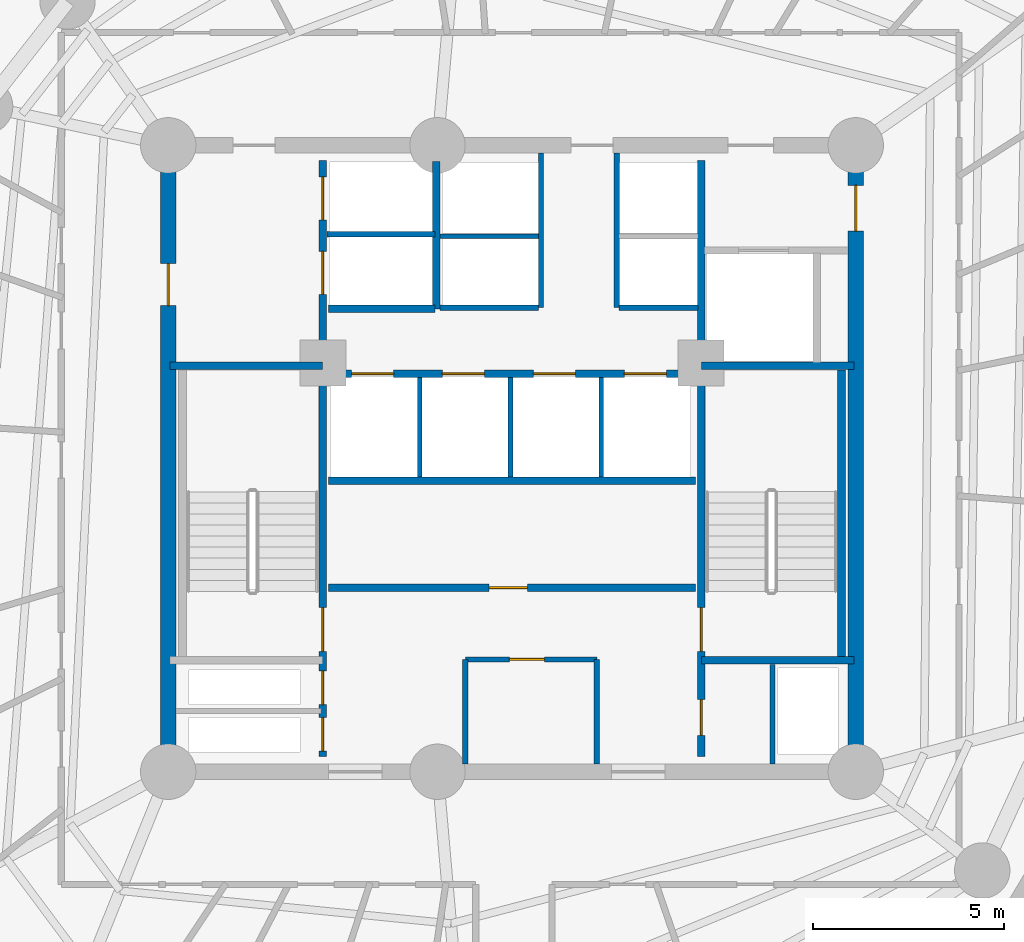
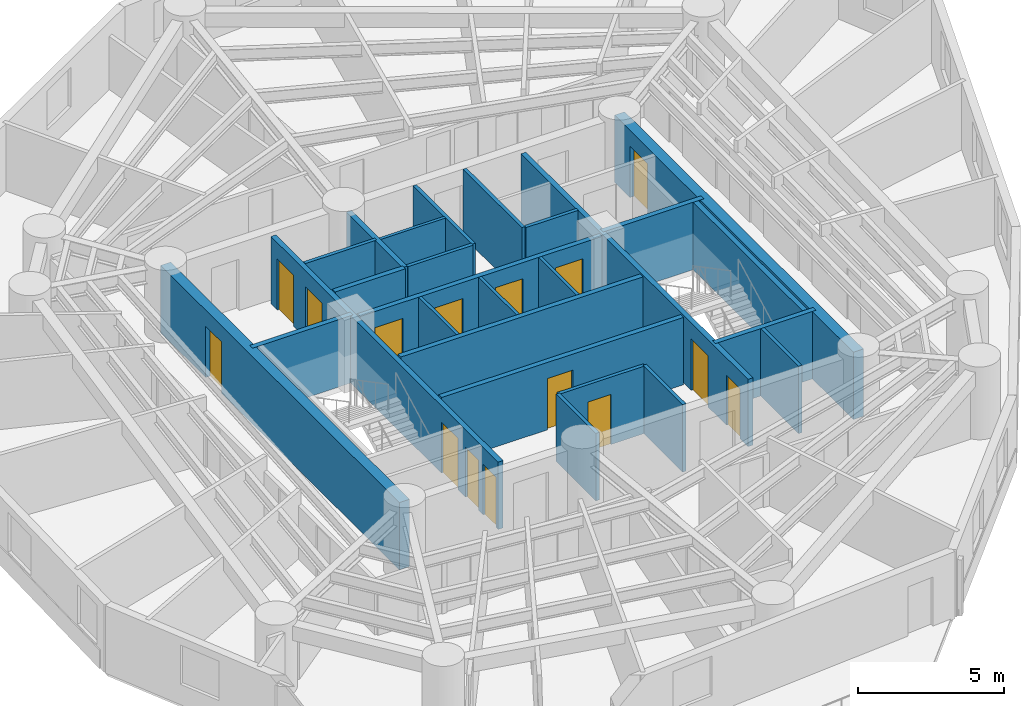
# One storey, part 4 of 10: 26 walls, 15 doors, 15 openings.
"""IFC4 building model written with IfcOpenShell, lengths in metres."""

from ifc_helpers import new_model, si_unit, direction, frame, frame_2d, origin, origin_with_axes, place, context, subcontext, project, spatial, rectangle, extrude, source, transform, mapped, material, layer, layer_set, type_object, element, fill, save


model = new_model("IFC4")

# Units and contexts
model_context = context("Model", 3, precision=1e-05, world=origin(), true_north=direction((0.0, 1.0)))
body_context = subcontext(model_context, "Body", "Model", "MODEL_VIEW")
ifc_project = project(units=[si_unit("LENGTHUNIT", "METRE"), si_unit("AREAUNIT", "SQUARE_METRE"), si_unit("VOLUMEUNIT", "CUBIC_METRE"), si_unit("PLANEANGLEUNIT", "RADIAN"), si_unit("MASSUNIT", "GRAM", prefix="KILO")], contexts=[model_context])

# Site, building, storey
site_placement = place(None, origin())
site = spatial("IfcSite", under=ifc_project, at=site_placement, CompositionType="ELEMENT")
building_placement = place(site_placement, origin())
building = spatial("IfcBuilding", under=site, at=building_placement, Name="Karkom Vertical University and Central Library", CompositionType="ELEMENT")
storey_placement = place(building_placement, frame((0.0, 0.0, 111.449951171875)))
storey = spatial("IfcBuildingStorey", under=building, at=storey_placement, Name="L30", CompositionType="ELEMENT", Elevation=111.449951171875)

# Walls
ifc_material_1 = material(Name="Moisture-resistant drywall 120mm", Category="gypsum")
ifc_layer_1 = layer(ifc_material_1, 0.1201171875)
ifc_layer_set_1 = layer_set([ifc_layer_1], Name="Moisture-resistant drywall 120mm")
wall_type_1 = type_object("IfcWallType", Name="INT-WL-INT-120H", PredefinedType="PARTITIONING", material=ifc_layer_set_1)
for number, where, z_axis, x_axis, name in (
    (1, (26.080078125, 26.02001953125, 0.0), (0.0, 0.0, 1.0), (0.0, 1.0, 0.0), "Level 30 Interior Partition Wall L30-CW-PM-DIV1"),
    (2, (28.4599609375, 26.02001953125, 0.0), (0.0, 0.0, 1.0), (0.0, 1.0, 0.0), "Level 30 Interior Partition Wall L30-CW-PM-DIV2"),
    (3, (30.840087890625, 26.02001953125, 0.0), (0.0, 0.0, 1.0), (0.0, 1.0, 0.0), "Level 30 Interior Partition Wall L30-CW-PM-DIV3"),
):
    element("IfcWall", number, at=place(storey_placement, frame(where, z_axis=z_axis, x_axis=x_axis)), inside=storey, type_object=wall_type_1, Name=name, PredefinedType="PARTITIONING", context=body_context, shape_type="SweptSolid", body=[
        extrude(rectangle(XDim=2.60009765625, YDim=0.1201171875, at=frame_2d((1.300048828125, 0.0))), origin(), (0.0, 0.0, 1.0), 2.824951171875),
    ])
wall_1_placement = place(storey_placement, frame((26.6201171875, 32.320068359375, 0.0), z_axis=(0.0, 0.0, 1.0), x_axis=(1.0, 0.0, 0.0)))
element("IfcWall", 4, at=wall_1_placement, inside=storey, type_object=wall_type_1, Name="Level 30 Interior Partition Wall L30-CW-PH-MW", PredefinedType="PARTITIONING", context=body_context, shape_type="SweptSolid", body=[
    extrude(rectangle(XDim=2.579833984375, YDim=0.1201171875, at=frame_2d((1.2900390625, 0.0))), origin(), (0.0, 0.0, 1.0), 2.824951171875),
])

# Wall, opening, door
ifc_material_2 = material(Name="Metal-stud gypsum partition 140mm", Category="gypsum")
ifc_layer_2 = layer(ifc_material_2, 0.139892578125)
ifc_layer_set_2 = layer_set([ifc_layer_2], Name="Metal-stud gypsum partition 140mm")
wall_type_2 = type_object("IfcWallType", Name="INT-WL-SUB-140", PredefinedType="PARTITIONING", material=ifc_layer_set_2)
wall_2_placement = place(storey_placement, frame((27.280029296875, 21.239990234375, 0.0), z_axis=(0.0, 0.0, 1.0), x_axis=(1.0, 0.0, 0.0)))
wall_2 = element("IfcWall", 5, at=wall_2_placement, inside=storey, type_object=wall_type_2, Name="Level 30 Interior Partition Wall L30-CW-KBAY-N", PredefinedType="PARTITIONING", context=body_context, shape_type="SweptSolid", body=[
    extrude(rectangle(XDim=3.43994140625, YDim=0.139892578125, at=frame_2d((1.719970703125, 0.0))), origin(), (0.0, 0.0, 1.0), 2.824951171875),
])
opening_1_placement = place(wall_2_placement, frame((1.14990234375, 0.0, 0.0)))
opening_1 = element("IfcOpeningElement", 6, at=opening_1_placement, cuts=wall_2, Name="Opening D-SVC1", PredefinedType="OPENING", context=body_context, shape_type="SweptSolid", body=[
    extrude(rectangle(XDim=0.919921875, YDim=2.10009765625, at=frame_2d((0.4599609375, 1.050048828125))), frame((0.0, 0.080078125, 0.0), z_axis=(0.0, -1.0, 0.0), x_axis=(1.0, 0.0, 0.0)), (0.0, 0.0, 1.0), 0.159912109375),
])
ifc_material_3 = material(Name="Painted timber service door", Category="wood")
door_type_1 = type_object("IfcDoorType", Name="INT-DR-SVC1", OperationType="NOTDEFINED", PredefinedType="DOOR", material=ifc_material_3)
shared_shape_1 = source(origin_with_axes(), body_context, "Body", "SweptSolid", [
    extrude(rectangle(XDim=0.919921875, YDim=2.10009765625, at=frame_2d((0.4599609375, 1.050048828125))), frame((0.0, 0.02490234375, 0.0), z_axis=(0.0, -1.0, 0.0), x_axis=(1.0, 0.0, 0.0)), (0.0, 0.0, 1.0), 0.050048828125),
])
door_1_placement = place(opening_1_placement, origin())
door_1 = element("IfcDoor", 7, at=door_1_placement, inside=storey, type_object=door_type_1, Name="Level 30 Comms Room Door", OperationType="SINGLE_SWING_RIGHT", OverallHeight=2.10009765625, OverallWidth=0.919921875, PredefinedType="DOOR", context=body_context, shape_type="MappedRepresentation", body=[
    mapped(shared_shape_1, transform((0.0, 0.0, 0.0), scale=1.0)),
])
fill(opening_1, door_1)

# Walls
for number, where, z_axis, x_axis, name in (
    (8, (27.280029296875, 18.507080078125, 0.0), (0.0, 0.0, 1.0), (0.0, 1.0, 0.0), "Level 30 Interior Partition Wall L30-CW-KBAY-W"),
    (9, (30.719970703125, 18.507080078125, 0.0), (0.0, 0.0, 1.0), (0.0, 1.0, 0.0), "Level 30 Interior Partition Wall L30-CW-KBAY-E"),
):
    element("IfcWall", number, at=place(storey_placement, frame(where, z_axis=z_axis, x_axis=x_axis)), inside=storey, type_object=wall_type_2, Name=name, PredefinedType="PARTITIONING", context=body_context, shape_type="SweptSolid", body=[
        extrude(rectangle(XDim=2.73291015625, YDim=0.139892578125, at=frame_2d((1.366455078125, 0.0))), origin(), (0.0, 0.0, 1.0), 2.824951171875),
    ])
ifc_layer_3 = layer(ifc_material_2, 0.139892578125)
ifc_layer_set_3 = layer_set([ifc_layer_3], Name="Metal-stud gypsum partition 140mm")
wall_type_3 = type_object("IfcWallType", Name="INT-WL-SUB-140H", PredefinedType="PARTITIONING", material=ifc_layer_set_3)
for number, where, z_axis, x_axis, name in (
    (10, (29.260009765625, 30.449951171875, 0.0), (0.0, 0.0, 1.0), (0.0, 1.0, 0.0), "Level 30 Interior Partition Wall L30-CW-PH-W"),
    (11, (31.239990234375, 30.449951171875, 0.0), (0.0, 0.0, 1.0), (0.0, 1.0, 0.0), "Level 30 Interior Partition Wall L30-CW-PH-E"),
):
    element("IfcWall", number, at=place(storey_placement, frame(where, z_axis=z_axis, x_axis=x_axis)), inside=storey, type_object=wall_type_3, Name=name, PredefinedType="PARTITIONING", context=body_context, shape_type="SweptSolid", body=[
        extrude(rectangle(XDim=4.04296875, YDim=0.139892578125, at=frame_2d((2.021484375, 0.0))), origin(), (0.0, 0.0, 1.0), 2.824951171875),
    ])
wall_3_placement = place(storey_placement, frame((26.6201171875, 30.449951171875, 0.0), z_axis=(0.0, 0.0, 1.0), x_axis=(1.0, 0.0, 0.0)))
element("IfcWall", 12, at=wall_3_placement, inside=storey, type_object=wall_type_3, Name="Level 30 Interior Partition Wall L30-CW-PH-S1", PredefinedType="PARTITIONING", context=body_context, shape_type="SweptSolid", body=[
    extrude(rectangle(XDim=2.579833984375, YDim=0.139892578125, at=frame_2d((1.2900390625, 0.0))), origin(), (0.0, 0.0, 1.0), 2.824951171875),
])
wall_4_placement = place(storey_placement, frame((35.320068359375, 18.507080078125, 0.0), z_axis=(0.0, 0.0, 1.0), x_axis=(0.0, 1.0, 0.0)))
element("IfcWall", 13, at=wall_4_placement, inside=storey, type_object=wall_type_3, Name="Level 30 Interior Partition Wall L30-CW-RIS-E", PredefinedType="PARTITIONING", context=body_context, shape_type="SweptSolid", body=[
    extrude(rectangle(XDim=2.603759765625, YDim=0.139892578125, at=frame_2d((1.3017578125, 0.0))), origin(), (0.0, 0.0, 1.0), 2.824951171875),
])
wall_5_placement = place(storey_placement, frame((31.300048828125, 30.449951171875, 0.0), z_axis=(0.0, 0.0, 1.0), x_axis=(1.0, 0.0, 0.0)))
element("IfcWall", 14, at=wall_5_placement, inside=storey, type_object=wall_type_3, Name="Level 30 Interior Partition Wall L30-CW-PH-S2", PredefinedType="PARTITIONING", context=body_context, shape_type="SweptSolid", body=[
    extrude(rectangle(XDim=2.074951171875, YDim=0.139892578125, at=frame_2d((1.03759765625, 0.0))), origin(), (0.0, 0.0, 1.0), 2.824951171875),
])
ifc_layer_4 = layer(ifc_material_2, 0.139892578125)
ifc_layer_set_4 = layer_set([ifc_layer_4], Name="Metal-stud gypsum partition 140mm")
wall_type_4 = type_object("IfcWallType", Name="INT-WL-SUB-140X", PredefinedType="PARTITIONING", material=ifc_layer_set_4)
wall_6_placement = place(storey_placement, frame((23.652099609375, 32.3701171875, 0.0), z_axis=(0.0, 0.0, 1.0), x_axis=(1.0, 0.0, 0.0)))
element("IfcWall", 15, at=wall_6_placement, inside=storey, type_object=wall_type_4, Name="Level 30 Interior Partition Wall L30-CW-FFL-M", PredefinedType="PARTITIONING", context=body_context, shape_type="SweptSolid", body=[
    extrude(rectangle(XDim=2.827880859375, YDim=0.139892578125, at=frame_2d((1.4140625, 0.0))), origin(), (0.0, 0.0, 1.0), 2.824951171875),
])

# Wall, opening, door
ifc_material_4 = material(Name="Concrete C50/60", Category="concrete")
ifc_layer_5 = layer(ifc_material_4, 0.39990234375)
ifc_layer_set_5 = layer_set([ifc_layer_5], Name="Concrete C50/60")
wall_type_5 = type_object("IfcWallType", Name="STR-WL-CW-400", PredefinedType="SHEAR", material=ifc_layer_set_5)
wall_7_placement = place(storey_placement, frame((37.5, 18.300048828125, 0.0), z_axis=(0.0, 0.0, 1.0), x_axis=(0.0, 1.0, 0.0)))
wall_7 = element("IfcWall", 16, at=wall_7_placement, inside=storey, type_object=wall_type_5, Name="Level 30 Central Core Shear Wall EW", PredefinedType="SHEAR", context=body_context, shape_type="SweptSolid", body=[
    extrude(rectangle(XDim=16.39990234375, YDim=0.39990234375, at=frame_2d((8.199951171875, 0.0))), origin(), (0.0, 0.0, 1.0), 2.824951171875),
])
opening_2_placement = place(wall_7_placement, frame((14.14990234375, 0.0, 0.0)))
opening_2 = element("IfcOpeningElement", 17, at=opening_2_placement, cuts=wall_7, Name="Opening FD-SUB1", PredefinedType="OPENING", context=body_context, shape_type="SweptSolid", body=[
    extrude(rectangle(XDim=1.199951171875, YDim=2.14990234375, at=frame_2d((0.60009765625, 1.074951171875))), frame((0.0, 0.2099609375, 0.0), z_axis=(0.0, -1.0, 0.0), x_axis=(1.0, 0.0, 0.0)), (0.0, 0.0, 1.0), 0.419921875),
])
ifc_material_5 = material(Name="Painted steel fire door", Category="steel")
door_type_2 = type_object("IfcDoorType", Name="INT-DR-SUB1", OperationType="NOTDEFINED", PredefinedType="DOOR", material=ifc_material_5)
shared_shape_2 = source(origin_with_axes(), body_context, "Body", "SweptSolid", [
    extrude(rectangle(XDim=1.199951171875, YDim=2.14990234375, at=frame_2d((0.60009765625, 1.074951171875))), frame((0.0, 0.02490234375, 0.0), z_axis=(0.0, -1.0, 0.0), x_axis=(1.0, 0.0, 0.0)), (0.0, 0.0, 1.0), 0.050048828125),
])
door_2_placement = place(opening_2_placement, origin())
door_2 = element("IfcDoor", 18, at=door_2_placement, inside=storey, type_object=door_type_2, Name="Level 30 East Corridor Service Lobby Door", OperationType="SINGLE_SWING_LEFT", OverallHeight=2.14990234375, OverallWidth=1.199951171875, PredefinedType="DOOR", context=body_context, shape_type="MappedRepresentation", body=[
    mapped(shared_shape_2, transform((0.0, 0.0, 0.0), scale=1.0)),
])
fill(opening_2, door_2)

wall_8_placement = place(storey_placement, frame((19.5, 34.699951171875, 0.0), z_axis=(0.0, 0.0, 1.0), x_axis=(0.0, -1.0, 0.0)))
wall_8 = element("IfcWall", 19, at=wall_8_placement, inside=storey, type_object=wall_type_5, Name="Level 30 Central Core Shear Wall WW", PredefinedType="SHEAR", context=body_context, shape_type="SweptSolid", body=[
    extrude(rectangle(XDim=16.39990234375, YDim=0.39990234375, at=frame_2d((8.199951171875, 0.0))), origin(), (0.0, 0.0, 1.0), 2.824951171875),
])
opening_3_placement = place(wall_8_placement, frame((3.10009765625, 0.0, 0.0)))
opening_3 = element("IfcOpeningElement", 20, at=opening_3_placement, cuts=wall_8, Name="Opening FD-FFL", PredefinedType="OPENING", context=body_context, shape_type="SweptSolid", body=[
    extrude(rectangle(XDim=1.10009765625, YDim=2.14990234375, at=frame_2d((0.550048828125, 1.074951171875))), frame((0.0, 0.2099609375, 0.0), z_axis=(0.0, -1.0, 0.0), x_axis=(1.0, 0.0, 0.0)), (0.0, 0.0, 1.0), 0.419921875),
])
ifc_material_6 = material(Name="Painted steel smoke-seal fire door", Category="steel")
door_type_3 = type_object("IfcDoorType", Name="INT-DR-FFL", OperationType="NOTDEFINED", PredefinedType="DOOR", material=ifc_material_6)
shared_shape_3 = source(origin_with_axes(), body_context, "Body", "SweptSolid", [
    extrude(rectangle(XDim=1.10009765625, YDim=2.14990234375, at=frame_2d((0.550048828125, 1.074951171875))), frame((0.0, 0.02490234375, 0.0), z_axis=(0.0, -1.0, 0.0), x_axis=(1.0, 0.0, 0.0)), (0.0, 0.0, 1.0), 0.050048828125),
])
door_3_placement = place(opening_3_placement, origin())
door_3 = element("IfcDoor", 21, at=door_3_placement, inside=storey, type_object=door_type_3, Name="Level 30 West Corridor Firefighting Lobby Door", OperationType="SINGLE_SWING_RIGHT", OverallHeight=2.14990234375, OverallWidth=1.10009765625, PredefinedType="DOOR", context=body_context, shape_type="MappedRepresentation", body=[
    mapped(shared_shape_3, transform((0.0, 0.0, 0.0), scale=1.0)),
])
fill(opening_3, door_3)

# Wall, openings, doors
ifc_material_7 = material(Name="Concrete C45/55", Category="concrete")
ifc_layer_6 = layer(ifc_material_7, 0.199951171875)
ifc_layer_set_6 = layer_set([ifc_layer_6], Name="Concrete C45/55")
wall_type_6 = type_object("IfcWallType", Name="STR-WL-ST-200", PredefinedType="SHEAR", material=ifc_layer_set_6)
wall_9_placement = place(storey_placement, frame((23.544921875, 18.699951171875, 0.0), z_axis=(0.0, 0.0, 1.0), x_axis=(0.0, 1.0, 0.0)))
wall_9 = element("IfcWall", 22, at=wall_9_placement, inside=storey, type_object=wall_type_6, Name="Level 30 Core Shaft Wall L30-CW-ST1-E", PredefinedType="SHEAR", context=body_context, shape_type="SweptSolid", body=[
    extrude(rectangle(XDim=15.60009765625, YDim=0.199951171875, at=frame_2d((7.800048828125, 0.0))), origin(), (0.0, 0.0, 1.0), 2.824951171875),
])
opening_4_placement = place(wall_9_placement, frame((2.75, 0.0, 0.0)))
opening_4 = element("IfcOpeningElement", 23, at=opening_4_placement, cuts=wall_9, Name="Opening FD-ST1", PredefinedType="OPENING", context=body_context, shape_type="SweptSolid", body=[
    extrude(rectangle(XDim=1.14990234375, YDim=2.14990234375, at=frame_2d((0.574951171875, 1.074951171875))), frame((0.0, 0.10986328125, 0.0), z_axis=(0.0, -1.0, 0.0), x_axis=(1.0, 0.0, 0.0)), (0.0, 0.0, 1.0), 0.219970703125),
])
opening_5_placement = place(wall_9_placement, frame((0.139892578125, 0.0, 0.0)))
opening_5 = element("IfcOpeningElement", 24, at=opening_5_placement, cuts=wall_9, Name="Opening FD-RIS", PredefinedType="OPENING", context=body_context, shape_type="SweptSolid", body=[
    extrude(rectangle(XDim=0.8798828125, YDim=2.10009765625, at=frame_2d((0.43994140625, 1.050048828125))), frame((0.0, 0.10986328125, 0.0), z_axis=(0.0, -1.0, 0.0), x_axis=(1.0, 0.0, 0.0)), (0.0, 0.0, 1.0), 0.219970703125),
])
opening_6_placement = place(wall_9_placement, frame((1.360107421875, 0.0, 0.0)))
opening_6 = element("IfcOpeningElement", 25, at=opening_6_placement, cuts=wall_9, Name="Opening FD-RIS", PredefinedType="OPENING", context=body_context, shape_type="SweptSolid", body=[
    extrude(rectangle(XDim=0.8798828125, YDim=2.10009765625, at=frame_2d((0.43994140625, 1.050048828125))), frame((0.0, 0.10986328125, 0.0), z_axis=(0.0, -1.0, 0.0), x_axis=(1.0, 0.0, 0.0)), (0.0, 0.0, 1.0), 0.219970703125),
])
opening_7_placement = place(wall_9_placement, frame((12.10009765625, 0.0, 0.0)))
opening_7 = element("IfcOpeningElement", 26, at=opening_7_placement, cuts=wall_9, Name="Opening LD-FFL", PredefinedType="OPENING", context=body_context, shape_type="SweptSolid", body=[
    extrude(rectangle(XDim=1.1201171875, YDim=2.14990234375, at=frame_2d((0.56005859375, 1.074951171875))), frame((0.0, 0.10986328125, 0.0), z_axis=(0.0, -1.0, 0.0), x_axis=(1.0, 0.0, 0.0)), (0.0, 0.0, 1.0), 0.219970703125),
])
opening_8_placement = place(wall_9_placement, frame((14.050048828125, 0.0, 0.0)))
opening_8 = element("IfcOpeningElement", 27, at=opening_8_placement, cuts=wall_9, Name="Opening LD-FFL", PredefinedType="OPENING", context=body_context, shape_type="SweptSolid", body=[
    extrude(rectangle(XDim=1.1201171875, YDim=2.14990234375, at=frame_2d((0.56005859375, 1.074951171875))), frame((0.0, 0.10986328125, 0.0), z_axis=(0.0, -1.0, 0.0), x_axis=(1.0, 0.0, 0.0)), (0.0, 0.0, 1.0), 0.219970703125),
])
ifc_material_8 = material(Name="Painted steel acoustic fire door", Category="steel")
door_type_4 = type_object("IfcDoorType", Name="INT-DR-ST1", OperationType="NOTDEFINED", PredefinedType="DOOR", material=ifc_material_8)
shared_shape_4 = source(origin_with_axes(), body_context, "Body", "SweptSolid", [
    extrude(rectangle(XDim=1.14990234375, YDim=2.14990234375, at=frame_2d((0.574951171875, 1.074951171875))), frame((0.0, 0.02490234375, 0.0), z_axis=(0.0, -1.0, 0.0), x_axis=(1.0, 0.0, 0.0)), (0.0, 0.0, 1.0), 0.050048828125),
])
door_4_placement = place(opening_4_placement, origin())
door_4 = element("IfcDoor", 28, at=door_4_placement, inside=storey, type_object=door_type_4, Name="Level 30 Stair ST-1 Fire Door", OperationType="SINGLE_SWING_LEFT", OverallHeight=2.14990234375, OverallWidth=1.14990234375, PredefinedType="DOOR", context=body_context, shape_type="MappedRepresentation", body=[
    mapped(shared_shape_4, transform((0.0, 0.0, 0.0), scale=1.0)),
])
fill(opening_4, door_4)
ifc_material_9 = material(Name="Painted steel riser access door", Category="steel")
door_type_5 = type_object("IfcDoorType", Name="INT-DR-RIS", OperationType="NOTDEFINED", PredefinedType="DOOR", material=ifc_material_9)
shared_shape_5 = source(origin_with_axes(), body_context, "Body", "SweptSolid", [
    extrude(rectangle(XDim=0.8798828125, YDim=2.10009765625, at=frame_2d((0.43994140625, 1.050048828125))), frame((0.0, 0.02490234375, 0.0), z_axis=(0.0, -1.0, 0.0), x_axis=(1.0, 0.0, 0.0)), (0.0, 0.0, 1.0), 0.050048828125),
])
door_5_placement = place(opening_5_placement, origin())
door_5 = element("IfcDoor", 29, at=door_5_placement, inside=storey, type_object=door_type_5, Name="Level 30 Electrical Riser Access Door", OperationType="SINGLE_SWING_LEFT", OverallHeight=2.10009765625, OverallWidth=0.8798828125, PredefinedType="DOOR", context=body_context, shape_type="MappedRepresentation", body=[
    mapped(shared_shape_5, transform((0.0, 0.0, 0.0), scale=1.0)),
])
fill(opening_5, door_5)
door_6_placement = place(opening_6_placement, origin())
door_6 = element("IfcDoor", 30, at=door_6_placement, inside=storey, type_object=door_type_5, Name="Level 30 Telecom Riser Access Door", OperationType="SINGLE_SWING_RIGHT", OverallHeight=2.10009765625, OverallWidth=0.8798828125, PredefinedType="DOOR", context=body_context, shape_type="MappedRepresentation", body=[
    mapped(shared_shape_5, transform((0.0, 0.0, 0.0), scale=1.0)),
])
fill(opening_6, door_6)
ifc_material_10 = material(Name="Fire-rated stainless-steel landing door", Category="steel")
door_type_6 = type_object("IfcDoorType", Name="INT-DR-LD-FFL", OperationType="SLIDING_TO_LEFT", PredefinedType="DOOR", material=ifc_material_10)
shared_shape_6 = source(origin_with_axes(), body_context, "Body", "SweptSolid", [
    extrude(rectangle(XDim=1.1201171875, YDim=2.14990234375, at=frame_2d((0.56005859375, 1.074951171875))), frame((0.0, 0.02490234375, 0.0), z_axis=(0.0, -1.0, 0.0), x_axis=(1.0, 0.0, 0.0)), (0.0, 0.0, 1.0), 0.050048828125),
])
door_7_placement = place(opening_7_placement, origin())
door_7 = element("IfcDoor", 31, at=door_7_placement, inside=storey, type_object=door_type_6, Name="Level 30 Firefighting Lift FFL-1 Landing Door", OperationType="SLIDING_TO_LEFT", OverallHeight=2.14990234375, OverallWidth=1.1201171875, PredefinedType="DOOR", context=body_context, shape_type="MappedRepresentation", body=[
    mapped(shared_shape_6, transform((0.0, 0.0, 0.0), scale=1.0)),
])
fill(opening_7, door_7)
door_8_placement = place(opening_8_placement, origin())
door_8 = element("IfcDoor", 32, at=door_8_placement, inside=storey, type_object=door_type_6, Name="Level 30 Firefighting Lift FFL-2 Landing Door", OperationType="SLIDING_TO_RIGHT", OverallHeight=2.14990234375, OverallWidth=1.1201171875, PredefinedType="DOOR", context=body_context, shape_type="MappedRepresentation", body=[
    mapped(shared_shape_6, transform((0.0, 0.0, 0.0), scale=1.0)),
])
fill(opening_8, door_8)

wall_10_placement = place(storey_placement, frame((33.455078125, 18.699951171875, 0.0), z_axis=(0.0, 0.0, 1.0), x_axis=(0.0, 1.0, 0.0)))
wall_10 = element("IfcWall", 33, at=wall_10_placement, inside=storey, type_object=wall_type_6, Name="Level 30 Core Shaft Wall L30-CW-ST2-W", PredefinedType="SHEAR", context=body_context, shape_type="SweptSolid", body=[
    extrude(rectangle(XDim=15.60009765625, YDim=0.199951171875, at=frame_2d((7.800048828125, 0.0))), origin(), (0.0, 0.0, 1.0), 2.824951171875),
])
opening_9_placement = place(wall_10_placement, frame((2.75, 0.0, 0.0)))
opening_9 = element("IfcOpeningElement", 34, at=opening_9_placement, cuts=wall_10, Name="Opening FD-ST1", PredefinedType="OPENING", context=body_context, shape_type="SweptSolid", body=[
    extrude(rectangle(XDim=1.14990234375, YDim=2.14990234375, at=frame_2d((0.574951171875, 1.074951171875))), frame((0.0, 0.10986328125, 0.0), z_axis=(0.0, -1.0, 0.0), x_axis=(1.0, 0.0, 0.0)), (0.0, 0.0, 1.0), 0.219970703125),
])
opening_10_placement = place(wall_10_placement, frame((0.550048828125, 0.0, 0.0)))
opening_10 = element("IfcOpeningElement", 35, at=opening_10_placement, cuts=wall_10, Name="Opening D-WC1", PredefinedType="OPENING", context=body_context, shape_type="SweptSolid", body=[
    extrude(rectangle(XDim=0.93994140625, YDim=2.10009765625, at=frame_2d((0.469970703125, 1.050048828125))), frame((0.0, 0.10986328125, 0.0), z_axis=(0.0, -1.0, 0.0), x_axis=(1.0, 0.0, 0.0)), (0.0, 0.0, 1.0), 0.219970703125),
])
door_9_placement = place(opening_9_placement, origin())
door_9 = element("IfcDoor", 36, at=door_9_placement, inside=storey, type_object=door_type_4, Name="Level 30 Stair ST-2 Fire Door", OperationType="SINGLE_SWING_RIGHT", OverallHeight=2.14990234375, OverallWidth=1.14990234375, PredefinedType="DOOR", context=body_context, shape_type="MappedRepresentation", body=[
    mapped(shared_shape_4, transform((0.0, 0.0, 0.0), scale=1.0)),
])
fill(opening_9, door_9)
ifc_material_11 = material(Name="Fire-rated laminate moisture-resistant door", Category="wood")
door_type_7 = type_object("IfcDoorType", Name="INT-DR-WC1", OperationType="NOTDEFINED", PredefinedType="DOOR", material=ifc_material_11)
shared_shape_7 = source(origin_with_axes(), body_context, "Body", "SweptSolid", [
    extrude(rectangle(XDim=0.93994140625, YDim=2.10009765625, at=frame_2d((0.469970703125, 1.050048828125))), frame((0.0, 0.02490234375, 0.0), z_axis=(0.0, -1.0, 0.0), x_axis=(1.0, 0.0, 0.0)), (0.0, 0.0, 1.0), 0.050048828125),
])
door_10_placement = place(opening_10_placement, origin())
door_10 = element("IfcDoor", 37, at=door_10_placement, inside=storey, type_object=door_type_7, Name="Level 30 Accessible WC Door", OperationType="SINGLE_SWING_LEFT", OverallHeight=2.10009765625, OverallWidth=0.93994140625, PredefinedType="DOOR", context=body_context, shape_type="MappedRepresentation", body=[
    mapped(shared_shape_7, transform((0.0, 0.0, 0.0), scale=1.0)),
])
fill(opening_10, door_10)

# Wall, opening, door
wall_11_placement = place(storey_placement, frame((23.699951171875, 23.1201171875, 0.0), z_axis=(0.0, 0.0, 1.0), x_axis=(1.0, 0.0, 0.0)))
wall_11 = element("IfcWall", 38, at=wall_11_placement, inside=storey, type_object=wall_type_6, Name="Level 30 Core Shaft Wall L30-CW-B1-S", PredefinedType="SHEAR", context=body_context, shape_type="SweptSolid", body=[
    extrude(rectangle(XDim=9.60009765625, YDim=0.199951171875, at=frame_2d((4.800048828125, 0.0))), origin(), (0.0, 0.0, 1.0), 2.824951171875),
])
opening_11_placement = place(wall_11_placement, frame((4.199951171875, 0.0, 0.0)))
opening_11 = element("IfcOpeningElement", 39, at=opening_11_placement, cuts=wall_11, Name="Opening D-STR1", PredefinedType="OPENING", context=body_context, shape_type="SweptSolid", body=[
    extrude(rectangle(XDim=1.0, YDim=2.14990234375, at=frame_2d((0.5, 1.074951171875))), frame((0.0, 0.10986328125, 0.0), z_axis=(0.0, -1.0, 0.0), x_axis=(1.0, 0.0, 0.0)), (0.0, 0.0, 1.0), 0.219970703125),
])
ifc_material_12 = material(Name="Solid-core hardwood fire door", Category="wood")
door_type_8 = type_object("IfcDoorType", Name="INT-DR-STR1", OperationType="NOTDEFINED", PredefinedType="DOOR", material=ifc_material_12)
shared_shape_8 = source(origin_with_axes(), body_context, "Body", "SweptSolid", [
    extrude(rectangle(XDim=1.0, YDim=2.14990234375, at=frame_2d((0.5, 1.074951171875))), frame((0.0, 0.02490234375, 0.0), z_axis=(0.0, -1.0, 0.0), x_axis=(1.0, 0.0, 0.0)), (0.0, 0.0, 1.0), 0.050048828125),
])
door_11_placement = place(opening_11_placement, origin())
door_11 = element("IfcDoor", 40, at=door_11_placement, inside=storey, type_object=door_type_8, Name="Level 30 Campus Digital Archive Store Door", OperationType="SINGLE_SWING_LEFT", OverallHeight=2.14990234375, OverallWidth=1.0, PredefinedType="DOOR", context=body_context, shape_type="MappedRepresentation", body=[
    mapped(shared_shape_8, transform((0.0, 0.0, 0.0), scale=1.0)),
])
fill(opening_11, door_11)

# Wall
wall_12_placement = place(storey_placement, frame((23.699951171875, 25.919921875, 0.0), z_axis=(0.0, 0.0, 1.0), x_axis=(1.0, 0.0, 0.0)))
element("IfcWall", 41, at=wall_12_placement, inside=storey, type_object=wall_type_6, Name="Level 30 Core Shaft Wall L30-CW-B1-N", PredefinedType="SHEAR", context=body_context, shape_type="SweptSolid", body=[
    extrude(rectangle(XDim=9.60009765625, YDim=0.199951171875, at=frame_2d((4.800048828125, 0.0))), origin(), (0.0, 0.0, 1.0), 2.824951171875),
])

# Wall, openings, doors
wall_13_placement = place(storey_placement, frame((23.699951171875, 28.719970703125, 0.0), z_axis=(0.0, 0.0, 1.0), x_axis=(1.0, 0.0, 0.0)))
wall_13 = element("IfcWall", 42, at=wall_13_placement, inside=storey, type_object=wall_type_6, Name="Level 30 Core Shaft Wall L30-CW-B2-N", PredefinedType="SHEAR", context=body_context, shape_type="SweptSolid", body=[
    extrude(rectangle(XDim=9.60009765625, YDim=0.199951171875, at=frame_2d((4.800048828125, 0.0))), origin(), (0.0, 0.0, 1.0), 2.824951171875),
])
opening_12_placement = place(wall_13_placement, frame((0.60009765625, 0.0, 0.0)))
opening_12 = element("IfcOpeningElement", 43, at=opening_12_placement, cuts=wall_13, Name="Opening LD-PAX", PredefinedType="OPENING", context=body_context, shape_type="SweptSolid", body=[
    extrude(rectangle(XDim=1.10009765625, YDim=2.14990234375, at=frame_2d((0.550048828125, 1.074951171875))), frame((0.0, 0.10986328125, 0.0), z_axis=(0.0, -1.0, 0.0), x_axis=(1.0, 0.0, 0.0)), (0.0, 0.0, 1.0), 0.219970703125),
])
opening_13_placement = place(wall_13_placement, frame((2.97998046875, 0.0, 0.0)))
opening_13 = element("IfcOpeningElement", 44, at=opening_13_placement, cuts=wall_13, Name="Opening LD-PAX", PredefinedType="OPENING", context=body_context, shape_type="SweptSolid", body=[
    extrude(rectangle(XDim=1.10009765625, YDim=2.14990234375, at=frame_2d((0.550048828125, 1.074951171875))), frame((0.0, 0.10986328125, 0.0), z_axis=(0.0, -1.0, 0.0), x_axis=(1.0, 0.0, 0.0)), (0.0, 0.0, 1.0), 0.219970703125),
])
opening_14_placement = place(wall_13_placement, frame((5.360107421875, 0.0, 0.0)))
opening_14 = element("IfcOpeningElement", 45, at=opening_14_placement, cuts=wall_13, Name="Opening LD-PAX", PredefinedType="OPENING", context=body_context, shape_type="SweptSolid", body=[
    extrude(rectangle(XDim=1.10009765625, YDim=2.14990234375, at=frame_2d((0.550048828125, 1.074951171875))), frame((0.0, 0.10986328125, 0.0), z_axis=(0.0, -1.0, 0.0), x_axis=(1.0, 0.0, 0.0)), (0.0, 0.0, 1.0), 0.219970703125),
])
opening_15_placement = place(wall_13_placement, frame((7.739990234375, 0.0, 0.0)))
opening_15 = element("IfcOpeningElement", 46, at=opening_15_placement, cuts=wall_13, Name="Opening LD-PAX", PredefinedType="OPENING", context=body_context, shape_type="SweptSolid", body=[
    extrude(rectangle(XDim=1.10009765625, YDim=2.14990234375, at=frame_2d((0.550048828125, 1.074951171875))), frame((0.0, 0.10986328125, 0.0), z_axis=(0.0, -1.0, 0.0), x_axis=(1.0, 0.0, 0.0)), (0.0, 0.0, 1.0), 0.219970703125),
])
ifc_material_13 = material(Name="Brushed stainless-steel landing door", Category="steel")
door_type_9 = type_object("IfcDoorType", Name="INT-DR-LD-PAX", OperationType="SLIDING_TO_LEFT", PredefinedType="DOOR", material=ifc_material_13)
door_12_placement = place(opening_12_placement, origin())
door_12 = element("IfcDoor", 47, at=door_12_placement, inside=storey, type_object=door_type_9, Name="Level 30 Lift PM-1 Landing Door", OperationType="SLIDING_TO_LEFT", OverallHeight=2.14990234375, OverallWidth=1.10009765625, PredefinedType="DOOR", context=body_context, shape_type="MappedRepresentation", body=[
    mapped(shared_shape_3, transform((0.0, 0.0, 0.0), scale=1.0)),
])
fill(opening_12, door_12)
door_13_placement = place(opening_13_placement, origin())
door_13 = element("IfcDoor", 48, at=door_13_placement, inside=storey, type_object=door_type_9, Name="Level 30 Lift PM-2 Landing Door", OperationType="SLIDING_TO_RIGHT", OverallHeight=2.14990234375, OverallWidth=1.10009765625, PredefinedType="DOOR", context=body_context, shape_type="MappedRepresentation", body=[
    mapped(shared_shape_3, transform((0.0, 0.0, 0.0), scale=1.0)),
])
fill(opening_13, door_13)
door_14_placement = place(opening_14_placement, origin())
door_14 = element("IfcDoor", 49, at=door_14_placement, inside=storey, type_object=door_type_9, Name="Level 30 Lift PM-3 Landing Door", OperationType="SLIDING_TO_LEFT", OverallHeight=2.14990234375, OverallWidth=1.10009765625, PredefinedType="DOOR", context=body_context, shape_type="MappedRepresentation", body=[
    mapped(shared_shape_3, transform((0.0, 0.0, 0.0), scale=1.0)),
])
fill(opening_14, door_14)
door_15_placement = place(opening_15_placement, origin())
door_15 = element("IfcDoor", 50, at=door_15_placement, inside=storey, type_object=door_type_9, Name="Level 30 Lift PM-4 Landing Door", OperationType="SLIDING_TO_RIGHT", OverallHeight=2.14990234375, OverallWidth=1.10009765625, PredefinedType="DOOR", context=body_context, shape_type="MappedRepresentation", body=[
    mapped(shared_shape_3, transform((0.0, 0.0, 0.0), scale=1.0)),
])
fill(opening_15, door_15)

# Walls
wall_14_placement = place(storey_placement, frame((37.125, 21.320068359375, 0.0), z_axis=(0.0, 0.0, 1.0), x_axis=(0.0, 1.0, 0.0)))
element("IfcWall", 51, at=wall_14_placement, inside=storey, type_object=wall_type_6, Name="Level 30 Core Shaft Wall L30-CW-ST2-E", PredefinedType="SHEAR", context=body_context, shape_type="SweptSolid", body=[
    extrude(rectangle(XDim=7.5, YDim=0.199951171875, at=frame_2d((3.75, 0.0))), origin(), (0.0, 0.0, 1.0), 2.824951171875),
])
for number, where, z_axis, x_axis, name in (
    (52, (33.455078125, 21.215087890625, 0.0), (0.0, 0.0, 1.0), (1.0, 0.0, 0.0), "Level 30 Core Shaft Wall L30-CW-ST2-S"),
    (53, (33.455078125, 28.925048828125, 0.0), (0.0, 0.0, 1.0), (1.0, 0.0, 0.0), "Level 30 Core Shaft Wall L30-CW-ST2-N"),
    (54, (19.550048828125, 28.925048828125, 0.0), (0.0, 0.0, 1.0), (1.0, 0.0, 0.0), "Level 30 Core Shaft Wall L30-CW-ST1-N"),
):
    element("IfcWall", number, at=place(storey_placement, frame(where, z_axis=z_axis, x_axis=x_axis)), inside=storey, type_object=wall_type_6, Name=name, PredefinedType="SHEAR", context=body_context, shape_type="SweptSolid", body=[
        extrude(rectangle(XDim=3.994873046875, YDim=0.199951171875, at=frame_2d((1.99755859375, 0.0))), origin(), (0.0, 0.0, 1.0), 2.824951171875),
    ])
wall_15_placement = place(storey_placement, frame((26.52001953125, 30.419921875, 0.0), z_axis=(0.0, 0.0, 1.0), x_axis=(0.0, 1.0, 0.0)))
element("IfcWall", 55, at=wall_15_placement, inside=storey, type_object=wall_type_6, Name="Level 30 Core Shaft Wall L30-CW-FFL-E", PredefinedType="SHEAR", context=body_context, shape_type="SweptSolid", body=[
    extrude(rectangle(XDim=3.860107421875, YDim=0.199951171875, at=frame_2d((1.93017578125, 0.0))), origin(), (0.0, 0.0, 1.0), 2.824951171875),
])
wall_16_placement = place(storey_placement, frame((23.699951171875, 30.419921875, 0.0), z_axis=(0.0, 0.0, 1.0), x_axis=(1.0, 0.0, 0.0)))
element("IfcWall", 56, at=wall_16_placement, inside=storey, type_object=wall_type_6, Name="Level 30 Core Shaft Wall L30-CW-FFL-S", PredefinedType="SHEAR", context=body_context, shape_type="SweptSolid", body=[
    extrude(rectangle(XDim=2.780029296875, YDim=0.199951171875, at=frame_2d((1.39013671875, 0.0))), origin(), (0.0, 0.0, 1.0), 2.824951171875),
])

save(model, "model.ifc")
